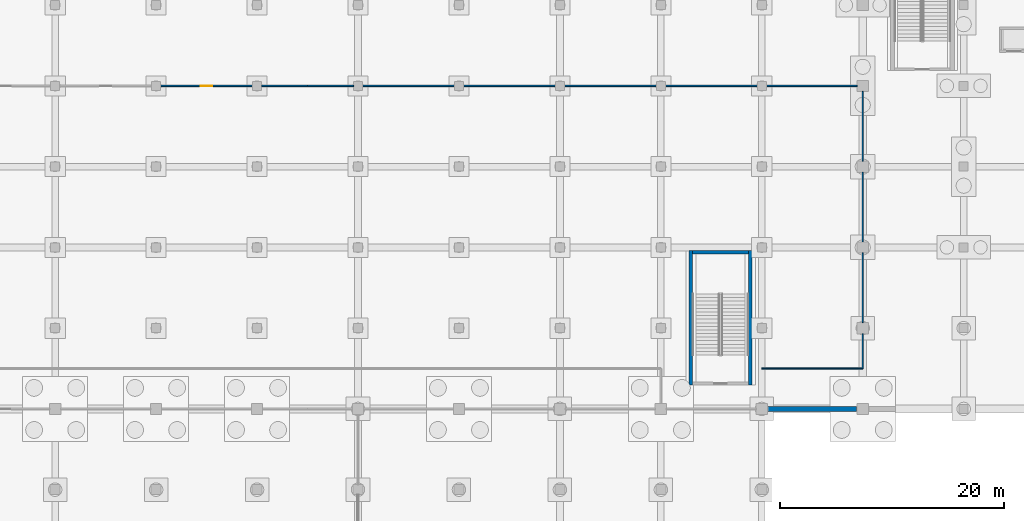
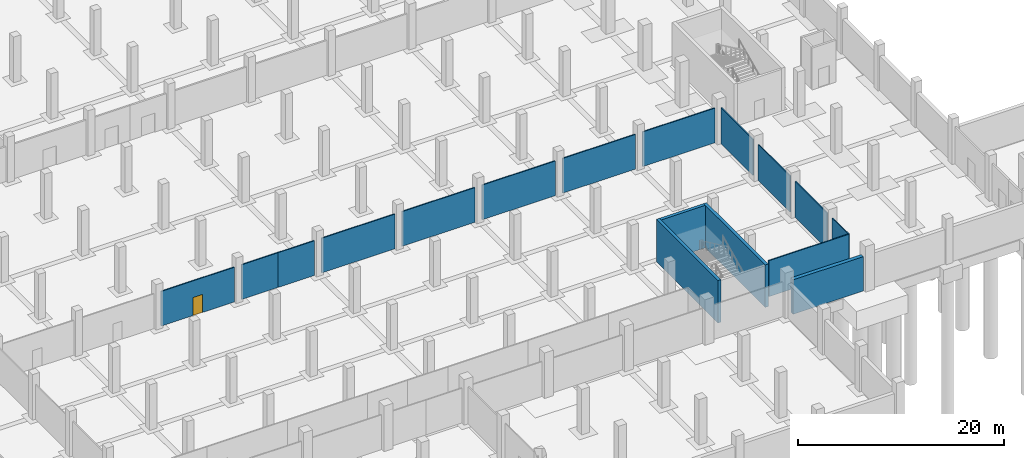
# One storey, part 18 of 39: 17 walls, 1 door, 1 opening.
"""IFC4 building model written with IfcOpenShell, lengths in metres."""

from ifc_helpers import new_model, si_unit, direction, frame, frame_2d, origin, place, context, subcontext, project, spatial, rectangle, extrude, material, layer, layer_set, type_object, element, fill, save


model = new_model("IFC4")

# Units and contexts
model_context = context("Model", 3, precision=1e-05, world=origin(), true_north=direction((0.0, 1.0)))
body_context = subcontext(model_context, "Body", "Model", "MODEL_VIEW")
ifc_project = project(units=[si_unit("LENGTHUNIT", "METRE"), si_unit("AREAUNIT", "SQUARE_METRE"), si_unit("VOLUMEUNIT", "CUBIC_METRE"), si_unit("PLANEANGLEUNIT", "RADIAN"), si_unit("MASSUNIT", "GRAM", prefix="KILO")], contexts=[model_context])

# Site, building, storey
site_placement = place(None, origin())
site = spatial("IfcSite", under=ifc_project, at=site_placement, CompositionType="ELEMENT")
building_placement = place(site_placement, origin())
building = spatial("IfcBuilding", under=site, at=building_placement, Name="Celestram Park Convention Centre", CompositionType="ELEMENT")
storey_placement = place(building_placement, frame((0.0, 0.0, -5.39990234375)))
storey = spatial("IfcBuildingStorey", under=building, at=storey_placement, Name="B1", CompositionType="ELEMENT", Elevation=-5.39990234375)

# Wall
ifc_material_1 = material(Name="Standard Gypsum & Steel Stud 120 mm", Category="steel")
ifc_layer_1 = layer(ifc_material_1, 0.1201171875)
ifc_layer_set_1 = layer_set([ifc_layer_1], Name="Standard Gypsum & Steel Stud 120 mm")
wall_type_1 = type_object("IfcWallType", Name="ARC-WL-PRT120", PredefinedType="PARTITIONING", material=ifc_layer_set_1)
wall_1_placement = place(storey_placement, frame((117.0, 25.199951171875, 0.0), z_axis=(0.0, 0.0, 1.0), x_axis=(1.0, 0.0, 0.0)))
element("IfcWall", 1, at=wall_1_placement, inside=storey, type_object=wall_type_1, Name="Interior partition WL-B1-IN0435", PredefinedType="PARTITIONING", context=body_context, shape_type="SweptSolid", body=[
    extrude(rectangle(XDim=9.0, YDim=0.1201171875, at=frame_2d((4.5, 0.0))), origin(), (0.0, 0.0, 1.0), 4.267822265625),
])

# Wall, opening, door
wall_2_placement = place(storey_placement, frame((63.39794921875, 50.39990234375, 0.0), z_axis=(0.0, 0.0, 1.0), x_axis=(1.0, 0.0, 0.0)))
wall_2 = element("IfcWall", 2, at=wall_2_placement, inside=storey, type_object=wall_type_1, Name="Interior partition WL-B1-IN0442", PredefinedType="PARTITIONING", context=body_context, shape_type="SweptSolid", body=[
    extrude(rectangle(XDim=8.2041015625, YDim=0.1201171875, at=frame_2d((4.10205078125, 0.0))), origin(), (0.0, 0.0, 1.0), 4.11279296875),
])
opening_placement = place(wall_2_placement, frame((3.576904296875, 0.0, 0.0)))
opening = element("IfcOpeningElement", 3, at=opening_placement, cuts=wall_2, Name="Opening D-06", PredefinedType="OPENING", context=body_context, shape_type="SweptSolid", body=[
    extrude(rectangle(XDim=1.050048828125, YDim=2.14990234375, at=frame_2d((0.52490234375, 1.074951171875))), frame((0.0, 0.070068359375, 0.0), z_axis=(0.0, -1.0, 0.0), x_axis=(1.0, 0.0, 0.0)), (0.0, 0.0, 1.0), 0.14013671875),
])
ifc_material_2 = material(Name="Solid Core White Oak Single Door", Category="wood")
door_type = type_object("IfcDoorType", Name="ARC-DR-RM105", OperationType="NOTDEFINED", PredefinedType="DOOR", material=ifc_material_2)
door_placement = place(opening_placement, origin())
door = element("IfcDoor", 4, at=door_placement, inside=storey, type_object=door_type, Name="Central Exhibit Storage Vault entrance door", OperationType="SINGLE_SWING_RIGHT", OverallHeight=2.14990234375, OverallWidth=1.050048828125, PredefinedType="DOOR", context=body_context, shape_type="SweptSolid", body=[
    extrude(rectangle(XDim=1.050048828125, YDim=2.14990234375, at=frame_2d((0.52490234375, 1.074951171875))), frame((0.0, 0.02490234375, 0.0), z_axis=(0.0, -1.0, 0.0), x_axis=(1.0, 0.0, 0.0)), (0.0, 0.0, 1.0), 0.050048828125),
])
fill(opening, door)

# Walls
for number, where, z_axis, x_axis, name in (
    (5, (72.39794921875, 50.39990234375, 0.0), (0.0, 0.0, 1.0), (1.0, 0.0, 0.0), "Interior partition WL-B1-IN0443"),
    (6, (76.5, 50.39990234375, 0.0), (0.0, 0.0, 1.0), (1.0, 0.0, 0.0), "Interior partition WL-B1-IN0444"),
):
    element("IfcWall", number, at=place(storey_placement, frame(where, z_axis=z_axis, x_axis=x_axis)), inside=storey, type_object=wall_type_1, Name=name, PredefinedType="PARTITIONING", context=body_context, shape_type="SweptSolid", body=[
        extrude(rectangle(XDim=4.10205078125, YDim=0.1201171875, at=frame_2d((2.051025390625, 0.0))), origin(), (0.0, 0.0, 1.0), 4.11279296875),
    ])
for number, where, z_axis, x_axis, name in (
    (7, (81.39794921875, 50.39990234375, 0.0), (0.0, 0.0, 1.0), (1.0, 0.0, 0.0), "Interior partition WL-B1-IN0445"),
    (8, (90.39794921875, 50.39990234375, 0.0), (0.0, 0.0, 1.0), (1.0, 0.0, 0.0), "Interior partition WL-B1-IN0446"),
    (9, (99.39794921875, 50.39990234375, 0.0), (0.0, 0.0, 1.0), (1.0, 0.0, 0.0), "Interior partition WL-B1-IN0447"),
    (10, (108.39794921875, 50.39990234375, 0.0), (0.0, 0.0, 1.0), (1.0, 0.0, 0.0), "Interior partition WL-B1-IN0448"),
):
    element("IfcWall", number, at=place(storey_placement, frame(where, z_axis=z_axis, x_axis=x_axis)), inside=storey, type_object=wall_type_1, Name=name, PredefinedType="PARTITIONING", context=body_context, shape_type="SweptSolid", body=[
        extrude(rectangle(XDim=8.2041015625, YDim=0.1201171875, at=frame_2d((4.10205078125, 0.0))), origin(), (0.0, 0.0, 1.0), 4.11279296875),
    ])
wall_3_placement = place(storey_placement, frame((117.39794921875, 50.39990234375, 0.0), z_axis=(0.0, 0.0, 1.0), x_axis=(1.0, 0.0, 0.0)))
element("IfcWall", 11, at=wall_3_placement, inside=storey, type_object=wall_type_1, Name="Interior partition WL-B1-IN0449", PredefinedType="PARTITIONING", context=body_context, shape_type="SweptSolid", body=[
    extrude(rectangle(XDim=8.10400390625, YDim=0.1201171875, at=frame_2d((4.052001953125, 0.0))), origin(), (0.0, 0.0, 1.0), 4.11279296875),
])
wall_4_placement = place(storey_placement, frame((126.0, 25.199951171875, 0.0), z_axis=(0.0, 0.0, 1.0), x_axis=(0.0, 1.0, 0.0)))
element("IfcWall", 12, at=wall_4_placement, inside=storey, type_object=wall_type_1, Name="Interior partition WL-B1-IN0523", PredefinedType="PARTITIONING", context=body_context, shape_type="SweptSolid", body=[
    extrude(rectangle(XDim=3.10205078125, YDim=0.1201171875, at=frame_2d((1.551025390625, 0.0))), origin(), (0.0, 0.0, 1.0), 4.267822265625),
])
for number, where, z_axis, x_axis, name in (
    (13, (126.0, 29.298095703125, 0.0), (0.0, 0.0, 1.0), (0.0, 1.0, 0.0), "Interior partition WL-B1-IN0524"),
    (14, (126.0, 36.498046875, 0.0), (0.0, 0.0, 1.0), (0.0, 1.0, 0.0), "Interior partition WL-B1-IN0525"),
):
    element("IfcWall", number, at=place(storey_placement, frame(where, z_axis=z_axis, x_axis=x_axis)), inside=storey, type_object=wall_type_1, Name=name, PredefinedType="PARTITIONING", context=body_context, shape_type="SweptSolid", body=[
        extrude(rectangle(XDim=6.203857421875, YDim=0.1201171875, at=frame_2d((3.10205078125, 0.0))), origin(), (0.0, 0.0, 1.0), 4.267822265625),
    ])
wall_5_placement = place(storey_placement, frame((126.0, 43.697998046875, 0.0), z_axis=(0.0, 0.0, 1.0), x_axis=(0.0, 1.0, 0.0)))
element("IfcWall", 15, at=wall_5_placement, inside=storey, type_object=wall_type_1, Name="Interior partition WL-B1-IN0526", PredefinedType="PARTITIONING", context=body_context, shape_type="SweptSolid", body=[
    extrude(rectangle(XDim=6.2041015625, YDim=0.1201171875, at=frame_2d((3.10205078125, 0.0))), origin(), (0.0, 0.0, 1.0), 4.267822265625),
])
ifc_material_3 = material(Name="Concrete C40/50", Category="concrete")
ifc_layer_2 = layer(ifc_material_3, 0.419921875)
ifc_layer_set_2 = layer_set([ifc_layer_2], Name="Concrete C40/50")
wall_type_2 = type_object("IfcWallType", Name="STR-WL-RET420", PredefinedType="USERDEFINED", material=ifc_layer_set_2)
wall_6_placement = place(storey_placement, frame((125.449951171875, 21.60009765625, 0.0), z_axis=(0.0, 0.0, 1.0), x_axis=(-1.0, 0.0, 0.0)))
element("IfcWall", 16, at=wall_6_placement, inside=storey, type_object=wall_type_2, Name="Basement retaining wall WL-B1-RET18", ObjectType="RETAININGWALL", PredefinedType="USERDEFINED", context=body_context, shape_type="SweptSolid", body=[
    extrude(rectangle(XDim=7.89990234375, YDim=0.419921875, at=frame_2d((3.949951171875, 0.0))), origin(), (0.0, 0.0, 1.0), 4.079833984375),
])
ifc_layer_3 = layer(ifc_material_3, 0.340087890625)
ifc_layer_set_3 = layer_set([ifc_layer_3], Name="Concrete C40/50")
wall_type_3 = type_object("IfcWallType", Name="STR-WL-SHR340", PredefinedType="SHEAR", material=ifc_layer_set_3)
for number, where, z_axis, x_axis, name in (
    (17, (110.669921875, 23.75, 0.0), (0.0, 0.0, 1.0), (0.0, 1.0, 0.0), "Core S18 shear wall L"),
    (18, (115.969970703125, 35.739990234375, 0.0), (0.0, 0.0, 1.0), (0.0, -1.0, 0.0), "Core S18 shear wall R"),
):
    element("IfcWall", number, at=place(storey_placement, frame(where, z_axis=z_axis, x_axis=x_axis)), inside=storey, type_object=wall_type_3, Name=name, PredefinedType="SHEAR", context=body_context, shape_type="SweptSolid", body=[
        extrude(rectangle(XDim=11.989990234375, YDim=0.340087890625, at=frame_2d((5.9951171875, 0.0))), origin(), (0.0, 0.0, 1.0), 5.039794921875),
    ])
wall_7_placement = place(storey_placement, frame((110.840087890625, 35.570068359375, 0.0), z_axis=(0.0, 0.0, 1.0), x_axis=(1.0, 0.0, 0.0)))
element("IfcWall", 19, at=wall_7_placement, inside=storey, type_object=wall_type_3, Name="Core S18 shear wall F", PredefinedType="SHEAR", context=body_context, shape_type="SweptSolid", body=[
    extrude(rectangle(XDim=4.9599609375, YDim=0.340087890625, at=frame_2d((2.47998046875, 0.0))), origin(), (0.0, 0.0, 1.0), 5.039794921875),
])

save(model, "model.ifc")
